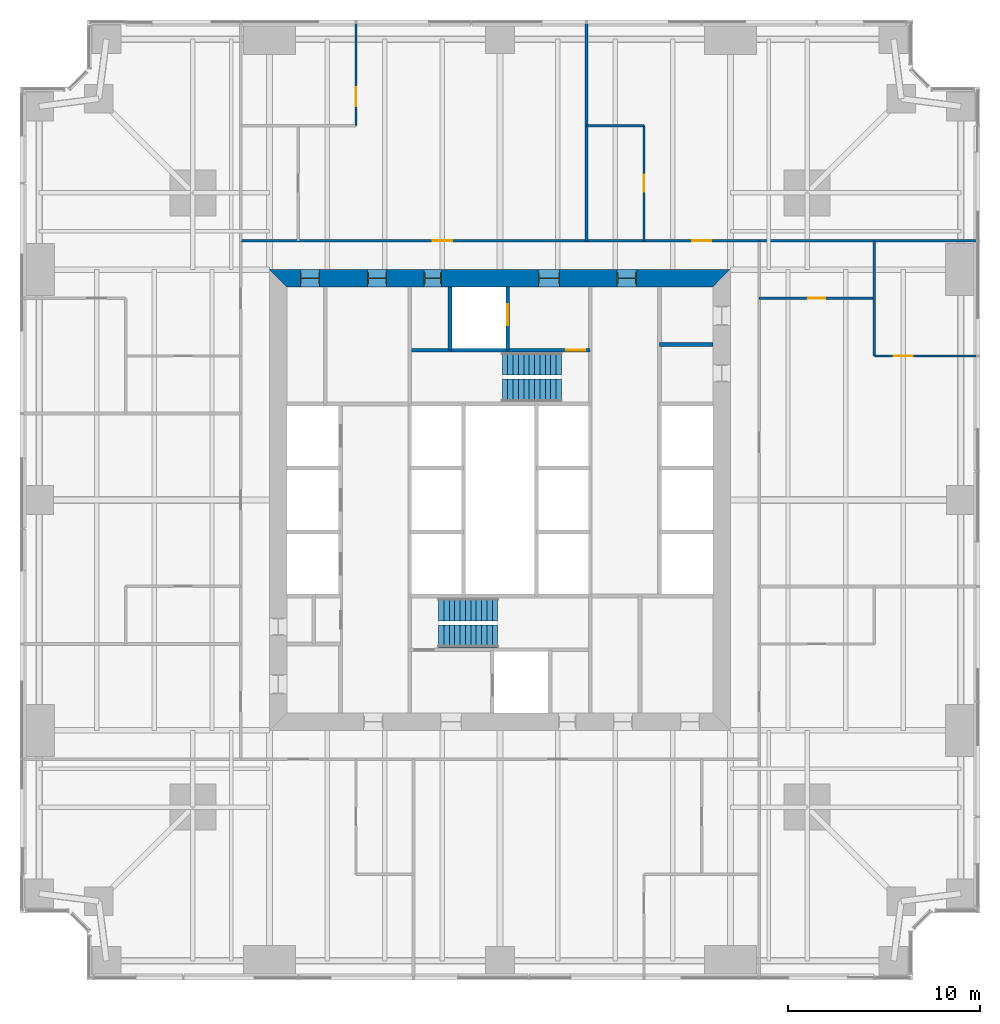
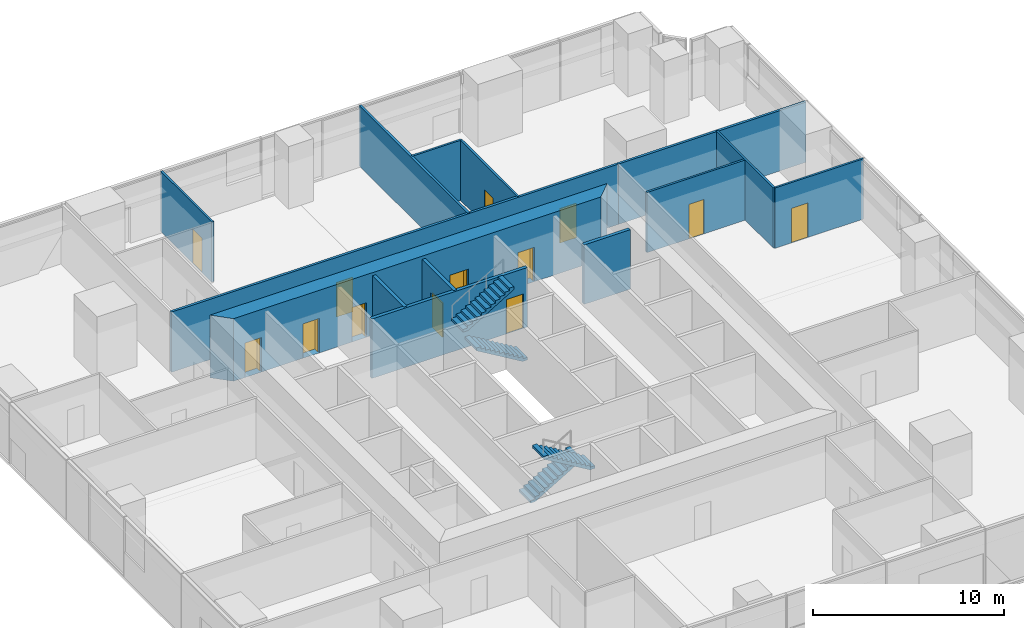
# One storey, part 11 of 13: 14 walls, 13 doors, 4 stair flights, 13 openings, 2 elements without a shape of their own.
"""IFC4 building model written with IfcOpenShell, lengths in metres."""

from ifc_helpers import new_model, si_unit, direction, frame, frame_2d, origin, place, context, subcontext, project, spatial, polyline, rectangle, outline, extrude, material, layer, layer_set, type_object, element, fill, aggregate, save


model = new_model("IFC4")

# Units and contexts
model_context = context("Model", 3, precision=1e-05, world=origin(), true_north=direction((0.0, 1.0)))
body_context = subcontext(model_context, "Body", "Model", "MODEL_VIEW")
ifc_project = project(units=[si_unit("LENGTHUNIT", "METRE"), si_unit("AREAUNIT", "SQUARE_METRE"), si_unit("VOLUMEUNIT", "CUBIC_METRE"), si_unit("PLANEANGLEUNIT", "RADIAN"), si_unit("MASSUNIT", "GRAM", prefix="KILO")], contexts=[model_context])

# Site, building, storey
site_placement = place(None, origin())
site = spatial("IfcSite", under=ifc_project, at=site_placement, CompositionType="ELEMENT")
building_placement = place(site_placement, origin())
building = spatial("IfcBuilding", under=site, at=building_placement, Name="Fenwick Lantern Interchange", CompositionType="ELEMENT")
storey_placement = place(building_placement, frame((0.0, 0.0, 47.0)))
storey = spatial("IfcBuildingStorey", under=building, at=storey_placement, Name="L10", CompositionType="ELEMENT", Elevation=47.0)

# Wall, opening, door
ifc_material_1 = material(Name="Concrete masonry ASTM C90 Grade N", Category="masonry")
ifc_layer_1 = layer(ifc_material_1, 0.199951171875)
ifc_layer_set_1 = layer_set([ifc_layer_1], Name="Concrete masonry ASTM C90 Grade N")
wall_type_1 = type_object("IfcWallType", Name="CORE PARTITION 200", PredefinedType="PARTITIONING", material=ifc_layer_set_1)
wall_1_placement = place(storey_placement, frame((25.39990234375, 36.10009765625, 0.0), z_axis=(0.0, 0.0, 1.0), x_axis=(0.0, -1.0, 0.0)))
wall_1 = element("IfcWall", 1, at=wall_1_placement, inside=storey, type_object=wall_type_1, Name="L10/W/COREN/h1", PredefinedType="PARTITIONING", context=body_context, shape_type="SweptSolid", body=[
    extrude(rectangle(XDim=3.300048828125, YDim=0.199951171875, at=frame_2d((1.64990234375, 0.0))), origin(), (0.0, 0.0, 1.0), 3.800048828125),
])
opening_1_placement = place(wall_1_placement, frame((0.89990234375, 0.0, 0.0)))
opening_1 = element("IfcOpeningElement", 2, at=opening_1_placement, cuts=wall_1, Name="Opening LD-FL2", PredefinedType="OPENING", context=body_context, shape_type="SweptSolid", body=[
    extrude(rectangle(XDim=1.10009765625, YDim=2.199951171875, at=frame_2d((0.550048828125, 1.10009765625))), frame((0.0, 0.10986328125, 0.0), z_axis=(0.0, -1.0, 0.0), x_axis=(1.0, 0.0, 0.0)), (0.0, 0.0, 1.0), 0.219970703125),
])
ifc_material_2 = material(Name="Steel door and frame", Category="steel")
door_type_1 = type_object("IfcDoorType", Name="LIFT LANDING DOOR 1100 X 2200", OperationType="DOUBLE_DOOR_SLIDING", PredefinedType="DOOR", material=ifc_material_2)
door_1_placement = place(opening_1_placement, origin())
door_1 = element("IfcDoor", 3, at=door_1_placement, inside=storey, type_object=door_type_1, Name="Lift landing door FL2", OperationType="DOUBLE_DOOR_SLIDING", OverallHeight=2.199951171875, OverallWidth=1.10009765625, PredefinedType="DOOR", context=body_context, shape_type="SweptSolid", body=[
    extrude(rectangle(XDim=1.10009765625, YDim=2.199951171875, at=frame_2d((0.550048828125, 1.10009765625))), frame((0.0, 0.02490234375, 0.0), z_axis=(0.0, -1.0, 0.0), x_axis=(1.0, 0.0, 0.0)), (0.0, 0.0, 1.0), 0.050048828125),
])
fill(opening_1, door_1)

# Walls
wall_2_placement = place(storey_placement, frame((22.39990234375, 36.10009765625, 0.0), z_axis=(0.0, 0.0, 1.0), x_axis=(0.0, -1.0, 0.0)))
element("IfcWall", 4, at=wall_2_placement, inside=storey, type_object=wall_type_1, Name="L10/W/COREN/h2", PredefinedType="PARTITIONING", context=body_context, shape_type="SweptSolid", body=[
    extrude(rectangle(XDim=3.300048828125, YDim=0.199951171875, at=frame_2d((1.64990234375, 0.0))), origin(), (0.0, 0.0, 1.0), 3.800048828125),
])
wall_3_placement = place(storey_placement, frame((36.10009765625, 33.10009765625, 0.0), z_axis=(0.0, 0.0, 1.0), x_axis=(-1.0, 0.0, 0.0)))
element("IfcWall", 5, at=wall_3_placement, inside=storey, type_object=wall_type_1, Name="L10/W/COREN/p1", PredefinedType="PARTITIONING", context=body_context, shape_type="SweptSolid", body=[
    extrude(rectangle(XDim=2.800048828125, YDim=0.199951171875, at=frame_2d((1.39990234375, 0.0))), origin(), (0.0, 0.0, 1.0), 3.800048828125),
])

# Wall, openings, doors
ifc_material_3 = material(Name="Concrete f'c 70 MPa", Category="concrete")
ifc_layer_2 = layer(ifc_material_3, 0.89990234375)
ifc_layer_set_2 = layer_set([ifc_layer_2], Name="CORE WALL 900")
wall_type_2 = type_object("IfcWallType", Name="CORE WALL 900", PredefinedType="SHEAR", material=ifc_layer_set_2)
wall_4_placement = place(storey_placement, frame((37.0, 36.550048828125, 0.0), z_axis=(0.0, 0.0, 1.0), x_axis=(-1.0, 0.0, 0.0)))
wall_4 = element("IfcWall", 6, at=wall_4_placement, inside=storey, type_object=wall_type_2, Name="L10/CORE/N", PredefinedType="SHEAR", context=body_context, shape_type="SweptSolid", body=[
    extrude(outline(polyline([(0.0, -0.449951171875), (24.0, -0.449951171875), (23.10009765625, 0.449951171875), (0.89990234375, 0.449951171875), (0.0, -0.449951171875)])), origin(), (0.0, 0.0, 1.0), 4.0),
])
opening_2_placement = place(wall_4_placement, frame((4.89990234375, 0.0, 0.0)))
opening_2 = element("IfcOpeningElement", 7, at=opening_2_placement, cuts=wall_4, Name="Opening L10-D010", PredefinedType="OPENING", context=body_context, shape_type="SweptSolid", body=[
    extrude(rectangle(XDim=1.0, YDim=2.199951171875, at=frame_2d((0.5, 1.10009765625))), frame((0.0, 0.4599609375, 0.0), z_axis=(0.0, -1.0, 0.0), x_axis=(1.0, 0.0, 0.0)), (0.0, 0.0, 1.0), 0.919921875),
])
opening_3_placement = place(wall_4_placement, frame((8.89990234375, 0.0, 0.0)))
opening_3 = element("IfcOpeningElement", 8, at=opening_3_placement, cuts=wall_4, Name="Opening L10-D011", PredefinedType="OPENING", context=body_context, shape_type="SweptSolid", body=[
    extrude(rectangle(XDim=1.10009765625, YDim=2.199951171875, at=frame_2d((0.550048828125, 1.10009765625))), frame((0.0, 0.4599609375, 0.0), z_axis=(0.0, -1.0, 0.0), x_axis=(1.0, 0.0, 0.0)), (0.0, 0.0, 1.0), 0.919921875),
])
opening_4_placement = place(wall_4_placement, frame((15.050048828125, 0.0, 0.0)))
opening_4 = element("IfcOpeningElement", 9, at=opening_4_placement, cuts=wall_4, Name="Opening L10-D013", PredefinedType="OPENING", context=body_context, shape_type="SweptSolid", body=[
    extrude(rectangle(XDim=0.89990234375, YDim=2.199951171875, at=frame_2d((0.449951171875, 1.10009765625))), frame((0.0, 0.4599609375, 0.0), z_axis=(0.0, -1.0, 0.0), x_axis=(1.0, 0.0, 0.0)), (0.0, 0.0, 1.0), 0.919921875),
])
opening_5_placement = place(wall_4_placement, frame((17.89990234375, 0.0, 0.0)))
opening_5 = element("IfcOpeningElement", 10, at=opening_5_placement, cuts=wall_4, Name="Opening L10-D014", PredefinedType="OPENING", context=body_context, shape_type="SweptSolid", body=[
    extrude(rectangle(XDim=1.0, YDim=2.199951171875, at=frame_2d((0.5, 1.10009765625))), frame((0.0, 0.4599609375, 0.0), z_axis=(0.0, -1.0, 0.0), x_axis=(1.0, 0.0, 0.0)), (0.0, 0.0, 1.0), 0.919921875),
])
opening_6_placement = place(wall_4_placement, frame((21.39990234375, 0.0, 0.0)))
opening_6 = element("IfcOpeningElement", 11, at=opening_6_placement, cuts=wall_4, Name="Opening L10-D015", PredefinedType="OPENING", context=body_context, shape_type="SweptSolid", body=[
    extrude(rectangle(XDim=1.0, YDim=2.199951171875, at=frame_2d((0.5, 1.10009765625))), frame((0.0, 0.4599609375, 0.0), z_axis=(0.0, -1.0, 0.0), x_axis=(1.0, 0.0, 0.0)), (0.0, 0.0, 1.0), 0.919921875),
])
door_type_2 = type_object("IfcDoorType", Name="CORE LOBBY DOOR 1000 X 2200", OperationType="SINGLE_SWING_LEFT", PredefinedType="DOOR", material=ifc_material_2)
door_2_placement = place(opening_2_placement, origin())
door_2 = element("IfcDoor", 12, at=door_2_placement, inside=storey, type_object=door_type_2, Name="Core lobby door", OperationType="SINGLE_SWING_LEFT", OverallHeight=2.199951171875, OverallWidth=1.0, PredefinedType="DOOR", context=body_context, shape_type="SweptSolid", body=[
    extrude(rectangle(XDim=1.0, YDim=2.199951171875, at=frame_2d((0.5, 1.10009765625))), frame((0.0, 0.02490234375, 0.0), z_axis=(0.0, -1.0, 0.0), x_axis=(1.0, 0.0, 0.0)), (0.0, 0.0, 1.0), 0.050048828125),
    extrude(outline(polyline([(0.0, 0.0), (0.0400390625, 0.0), (0.0400390625, 2.159912109375), (0.9599609375, 2.159912109375), (0.9599609375, 0.0), (1.0, 0.0), (1.0, 2.199951171875), (0.0, 2.199951171875), (0.0, 0.0)])), frame((0.0, 0.300048828125, 0.0), z_axis=(0.0, -1.0, 0.0), x_axis=(1.0, 0.0, 0.0)), (0.0, 0.0, 1.0), 0.60009765625),
])
fill(opening_2, door_2)
door_type_3 = type_object("IfcDoorType", Name="FIRE LOBBY DOOR 1100 X 2200", OperationType="SINGLE_SWING_LEFT", PredefinedType="DOOR", material=ifc_material_2)
door_3_placement = place(opening_3_placement, origin())
door_3 = element("IfcDoor", 13, at=door_3_placement, inside=storey, type_object=door_type_3, Name="Fire lobby door", OperationType="SINGLE_SWING_LEFT", OverallHeight=2.199951171875, OverallWidth=1.10009765625, PredefinedType="DOOR", context=body_context, shape_type="SweptSolid", body=[
    extrude(rectangle(XDim=1.10009765625, YDim=2.199951171875, at=frame_2d((0.550048828125, 1.10009765625))), frame((0.0, 0.02490234375, 0.0), z_axis=(0.0, -1.0, 0.0), x_axis=(1.0, 0.0, 0.0)), (0.0, 0.0, 1.0), 0.050048828125),
    extrude(outline(polyline([(0.0, 0.0), (0.0400390625, 0.0), (0.0400390625, 2.159912109375), (1.06005859375, 2.159912109375), (1.06005859375, 0.0), (1.10009765625, 0.0), (1.10009765625, 2.199951171875), (0.0, 2.199951171875), (0.0, 0.0)])), frame((0.0, 0.300048828125, 0.0), z_axis=(0.0, -1.0, 0.0), x_axis=(1.0, 0.0, 0.0)), (0.0, 0.0, 1.0), 0.60009765625),
])
fill(opening_3, door_3)
door_type_4 = type_object("IfcDoorType", Name="SERVICE DOOR 900 X 2200", OperationType="SINGLE_SWING_LEFT", PredefinedType="DOOR", material=ifc_material_2)
door_4_placement = place(opening_4_placement, origin())
door_4 = element("IfcDoor", 14, at=door_4_placement, inside=storey, type_object=door_type_4, Name="Service door", OperationType="SINGLE_SWING_LEFT", OverallHeight=2.199951171875, OverallWidth=0.89990234375, PredefinedType="DOOR", context=body_context, shape_type="SweptSolid", body=[
    extrude(rectangle(XDim=0.89990234375, YDim=2.199951171875, at=frame_2d((0.449951171875, 1.10009765625))), frame((0.0, 0.02490234375, 0.0), z_axis=(0.0, -1.0, 0.0), x_axis=(1.0, 0.0, 0.0)), (0.0, 0.0, 1.0), 0.050048828125),
    extrude(outline(polyline([(0.0, 0.0), (0.0400390625, 0.0), (0.0400390625, 2.159912109375), (0.85986328125, 2.159912109375), (0.85986328125, 0.0), (0.89990234375, 0.0), (0.89990234375, 2.199951171875), (0.0, 2.199951171875), (0.0, 0.0)])), frame((0.0, 0.300048828125, 0.0), z_axis=(0.0, -1.0, 0.0), x_axis=(1.0, 0.0, 0.0)), (0.0, 0.0, 1.0), 0.60009765625),
])
fill(opening_4, door_4)
ifc_material_4 = material(Name="Hardwood door and steel frame", Category="steel")
door_type_5 = type_object("IfcDoorType", Name="WC DOOR 1000 X 2200", OperationType="SINGLE_SWING_LEFT", PredefinedType="DOOR", material=ifc_material_4)
door_5_placement = place(opening_5_placement, origin())
door_5 = element("IfcDoor", 15, at=door_5_placement, inside=storey, type_object=door_type_5, Name="Wc door", OperationType="SINGLE_SWING_LEFT", OverallHeight=2.199951171875, OverallWidth=1.0, PredefinedType="DOOR", context=body_context, shape_type="SweptSolid", body=[
    extrude(rectangle(XDim=1.0, YDim=2.199951171875, at=frame_2d((0.5, 1.10009765625))), frame((0.0, 0.02490234375, 0.0), z_axis=(0.0, -1.0, 0.0), x_axis=(1.0, 0.0, 0.0)), (0.0, 0.0, 1.0), 0.050048828125),
    extrude(outline(polyline([(0.0, 0.0), (0.0400390625, 0.0), (0.0400390625, 2.159912109375), (0.9599609375, 2.159912109375), (0.9599609375, 0.0), (1.0, 0.0), (1.0, 2.199951171875), (0.0, 2.199951171875), (0.0, 0.0)])), frame((0.0, 0.300048828125, 0.0), z_axis=(0.0, -1.0, 0.0), x_axis=(1.0, 0.0, 0.0)), (0.0, 0.0, 1.0), 0.60009765625),
])
fill(opening_5, door_5)
door_6_placement = place(opening_6_placement, origin())
door_6 = element("IfcDoor", 16, at=door_6_placement, inside=storey, type_object=door_type_5, Name="Wc door", OperationType="SINGLE_SWING_LEFT", OverallHeight=2.199951171875, OverallWidth=1.0, PredefinedType="DOOR", context=body_context, shape_type="SweptSolid", body=[
    extrude(rectangle(XDim=1.0, YDim=2.199951171875, at=frame_2d((0.5, 1.10009765625))), frame((0.0, 0.02490234375, 0.0), z_axis=(0.0, -1.0, 0.0), x_axis=(1.0, 0.0, 0.0)), (0.0, 0.0, 1.0), 0.050048828125),
    extrude(outline(polyline([(0.0, 0.0), (0.0400390625, 0.0), (0.0400390625, 2.159912109375), (0.9599609375, 2.159912109375), (0.9599609375, 0.0), (1.0, 0.0), (1.0, 2.199951171875), (0.0, 2.199951171875), (0.0, 0.0)])), frame((0.0, 0.300048828125, 0.0), z_axis=(0.0, -1.0, 0.0), x_axis=(1.0, 0.0, 0.0)), (0.0, 0.0, 1.0), 0.60009765625),
])
fill(opening_6, door_6)

ifc_material_5 = material(Name="Gypsum board on steel studs, 1 hour", Category="steel")
ifc_layer_3 = layer(ifc_material_5, 0.14990234375)
ifc_layer_set_3 = layer_set([ifc_layer_3], Name="CORRIDOR WALL 150")
wall_type_3 = type_object("IfcWallType", Name="CORRIDOR WALL 150", PredefinedType="PARTITIONING", material=ifc_layer_set_3)
wall_5_placement = place(storey_placement, frame((38.5, 38.5, 0.0), z_axis=(0.0, 0.0, 1.0), x_axis=(-1.0, 0.0, 0.0)))
wall_5 = element("IfcWall", 17, at=wall_5_placement, inside=storey, type_object=wall_type_3, Name="L10/W/OFF/N/CW", PredefinedType="PARTITIONING", context=body_context, shape_type="SweptSolid", body=[
    extrude(rectangle(XDim=27.0, YDim=0.14990234375, at=frame_2d((13.5, 0.0))), origin(), (0.0, 0.0, 1.0), 3.85009765625),
])
opening_7_placement = place(wall_5_placement, frame((2.5, 0.0, 0.0)))
opening_7 = element("IfcOpeningElement", 18, at=opening_7_placement, cuts=wall_5, Name="Opening L10-D028", PredefinedType="OPENING", context=body_context, shape_type="SweptSolid", body=[
    extrude(rectangle(XDim=1.0, YDim=2.199951171875, at=frame_2d((0.5, 1.10009765625))), frame((0.0, 0.0849609375, 0.0), z_axis=(0.0, -1.0, 0.0), x_axis=(1.0, 0.0, 0.0)), (0.0, 0.0, 1.0), 0.169921875),
])
opening_8_placement = place(wall_5_placement, frame((16.0, 0.0, 0.0)))
opening_8 = element("IfcOpeningElement", 19, at=opening_8_placement, cuts=wall_5, Name="Opening L10-D030", PredefinedType="OPENING", context=body_context, shape_type="SweptSolid", body=[
    extrude(rectangle(XDim=1.0, YDim=2.199951171875, at=frame_2d((0.5, 1.10009765625))), frame((0.0, 0.0849609375, 0.0), z_axis=(0.0, -1.0, 0.0), x_axis=(1.0, 0.0, 0.0)), (0.0, 0.0, 1.0), 0.169921875),
])
door_type_6 = type_object("IfcDoorType", Name="SUITE ENTRANCE DOOR 1000 X 2200", OperationType="SINGLE_SWING_LEFT", PredefinedType="DOOR", material=ifc_material_2)
door_7_placement = place(opening_7_placement, frame((1.0, 0.0, 0.0), z_axis=(0.0, 0.0, 1.0), x_axis=(-1.0, 0.0, 0.0)))
door_7 = element("IfcDoor", 20, at=door_7_placement, inside=storey, type_object=door_type_6, Name="Suite entrance door", OperationType="SINGLE_SWING_LEFT", OverallHeight=2.199951171875, OverallWidth=1.0, PredefinedType="DOOR", context=body_context, shape_type="SweptSolid", body=[
    extrude(rectangle(XDim=1.0, YDim=2.199951171875, at=frame_2d((0.5, 1.10009765625))), frame((0.0, 0.02490234375, 0.0), z_axis=(0.0, -1.0, 0.0), x_axis=(1.0, 0.0, 0.0)), (0.0, 0.0, 1.0), 0.050048828125),
])
fill(opening_7, door_7)
door_8_placement = place(opening_8_placement, frame((1.0, 0.0, 0.0), z_axis=(0.0, 0.0, 1.0), x_axis=(-1.0, 0.0, 0.0)))
door_8 = element("IfcDoor", 21, at=door_8_placement, inside=storey, type_object=door_type_6, Name="Suite entrance door", OperationType="SINGLE_SWING_RIGHT", OverallHeight=2.199951171875, OverallWidth=1.0, PredefinedType="DOOR", context=body_context, shape_type="SweptSolid", body=[
    extrude(rectangle(XDim=1.0, YDim=2.199951171875, at=frame_2d((0.5, 1.10009765625))), frame((0.0, 0.02490234375, 0.0), z_axis=(0.0, -1.0, 0.0), x_axis=(1.0, 0.0, 0.0)), (0.0, 0.0, 1.0), 0.050048828125),
])
fill(opening_8, door_8)

# Wall, opening, door
ifc_material_6 = material(Name="Gypsum board on steel studs, acoustic", Category="steel")
ifc_layer_4 = layer(ifc_material_6, 0.125)
ifc_layer_set_4 = layer_set([ifc_layer_4], Name="OFFICE PARTITION 125")
wall_type_4 = type_object("IfcWallType", Name="OFFICE PARTITION 125", PredefinedType="PARTITIONING", material=ifc_layer_set_4)
wall_6_placement = place(storey_placement, frame((49.85009765625, 32.5, 0.0), z_axis=(0.0, 0.0, 1.0), x_axis=(-1.0, 0.0, 0.0)))
wall_6 = element("IfcWall", 22, at=wall_6_placement, inside=storey, type_object=wall_type_4, Name="L10/W/OFF/E/X325-1", PredefinedType="PARTITIONING", context=body_context, shape_type="SweptSolid", body=[
    extrude(rectangle(XDim=5.35009765625, YDim=0.125, at=frame_2d((2.675048828125, 0.0))), origin(), (0.0, 0.0, 1.0), 3.85009765625),
])
opening_9_placement = place(wall_6_placement, frame((3.35009765625, 0.0, 0.0)))
opening_9 = element("IfcOpeningElement", 23, at=opening_9_placement, cuts=wall_6, Name="Opening L10-D026", PredefinedType="OPENING", context=body_context, shape_type="SweptSolid", body=[
    extrude(rectangle(XDim=1.0, YDim=2.199951171875, at=frame_2d((0.5, 1.10009765625))), frame((0.0, 0.072509765625, 0.0), z_axis=(0.0, -1.0, 0.0), x_axis=(1.0, 0.0, 0.0)), (0.0, 0.0, 1.0), 0.14501953125),
])
door_type_7 = type_object("IfcDoorType", Name="MEETING ROOM DOOR 1000 X 2200", OperationType="SINGLE_SWING_LEFT", PredefinedType="DOOR", material=ifc_material_4)
door_9_placement = place(opening_9_placement, frame((1.0, 0.0, 0.0), z_axis=(0.0, 0.0, 1.0), x_axis=(-1.0, 0.0, 0.0)))
door_9 = element("IfcDoor", 24, at=door_9_placement, inside=storey, type_object=door_type_7, Name="Meeting room door", OperationType="SINGLE_SWING_LEFT", OverallHeight=2.199951171875, OverallWidth=1.0, PredefinedType="DOOR", context=body_context, shape_type="SweptSolid", body=[
    extrude(rectangle(XDim=1.0, YDim=2.199951171875, at=frame_2d((0.5, 1.10009765625))), frame((0.0, 0.02490234375, 0.0), z_axis=(0.0, -1.0, 0.0), x_axis=(1.0, 0.0, 0.0)), (0.0, 0.0, 1.0), 0.050048828125),
])
fill(opening_9, door_9)

wall_7_placement = place(storey_placement, frame((44.5, 35.5, 0.0), z_axis=(0.0, 0.0, 1.0), x_axis=(-1.0, 0.0, 0.0)))
wall_7 = element("IfcWall", 25, at=wall_7_placement, inside=storey, type_object=wall_type_4, Name="L10/W/OFF/E/X355-1", PredefinedType="PARTITIONING", context=body_context, shape_type="SweptSolid", body=[
    extrude(rectangle(XDim=6.0, YDim=0.125, at=frame_2d((3.0, 0.0))), origin(), (0.0, 0.0, 1.0), 3.85009765625),
])
opening_10_placement = place(wall_7_placement, frame((2.550048828125, 0.0, 0.0)))
opening_10 = element("IfcOpeningElement", 26, at=opening_10_placement, cuts=wall_7, Name="Opening L10-D027", PredefinedType="OPENING", context=body_context, shape_type="SweptSolid", body=[
    extrude(rectangle(XDim=0.89990234375, YDim=2.199951171875, at=frame_2d((0.449951171875, 1.10009765625))), frame((0.0, 0.072509765625, 0.0), z_axis=(0.0, -1.0, 0.0), x_axis=(1.0, 0.0, 0.0)), (0.0, 0.0, 1.0), 0.14501953125),
])
door_type_8 = type_object("IfcDoorType", Name="OFFICE DOOR 900 X 2200", OperationType="SINGLE_SWING_LEFT", PredefinedType="DOOR", material=ifc_material_4)
door_10_placement = place(opening_10_placement, frame((0.89990234375, 0.0, 0.0), z_axis=(0.0, 0.0, 1.0), x_axis=(-1.0, 0.0, 0.0)))
door_10 = element("IfcDoor", 27, at=door_10_placement, inside=storey, type_object=door_type_8, Name="Office door", OperationType="SINGLE_SWING_RIGHT", OverallHeight=2.199951171875, OverallWidth=0.89990234375, PredefinedType="DOOR", context=body_context, shape_type="SweptSolid", body=[
    extrude(rectangle(XDim=0.89990234375, YDim=2.199951171875, at=frame_2d((0.449951171875, 1.10009765625))), frame((0.0, 0.02490234375, 0.0), z_axis=(0.0, -1.0, 0.0), x_axis=(1.0, 0.0, 0.0)), (0.0, 0.0, 1.0), 0.050048828125),
])
fill(opening_10, door_10)

# Wall
wall_8_placement = place(storey_placement, frame((44.5, 32.5, 0.0), z_axis=(0.0, 0.0, 1.0), x_axis=(0.0, 1.0, 0.0)))
element("IfcWall", 28, at=wall_8_placement, inside=storey, type_object=wall_type_4, Name="L10/W/OFF/E/Y55-2", PredefinedType="PARTITIONING", context=body_context, shape_type="SweptSolid", body=[
    extrude(rectangle(XDim=6.0, YDim=0.125, at=frame_2d((3.0, 0.0))), origin(), (0.0, 0.0, 1.0), 3.85009765625),
])

# Wall, opening, door
wall_9_placement = place(storey_placement, frame((32.5, 44.5, 0.0), z_axis=(0.0, 0.0, 1.0), x_axis=(0.0, -1.0, 0.0)))
wall_9 = element("IfcWall", 29, at=wall_9_placement, inside=storey, type_object=wall_type_4, Name="L10/W/OFF/N/X175-1", PredefinedType="PARTITIONING", context=body_context, shape_type="SweptSolid", body=[
    extrude(rectangle(XDim=6.0, YDim=0.125, at=frame_2d((3.0, 0.0))), origin(), (0.0, 0.0, 1.0), 3.85009765625),
])
opening_11_placement = place(wall_9_placement, frame((2.550048828125, 0.0, 0.0)))
opening_11 = element("IfcOpeningElement", 30, at=opening_11_placement, cuts=wall_9, Name="Opening L10-D029", PredefinedType="OPENING", context=body_context, shape_type="SweptSolid", body=[
    extrude(rectangle(XDim=0.89990234375, YDim=2.199951171875, at=frame_2d((0.449951171875, 1.10009765625))), frame((0.0, 0.072509765625, 0.0), z_axis=(0.0, -1.0, 0.0), x_axis=(1.0, 0.0, 0.0)), (0.0, 0.0, 1.0), 0.14501953125),
])
door_11_placement = place(opening_11_placement, frame((0.89990234375, 0.0, 0.0), z_axis=(0.0, 0.0, 1.0), x_axis=(-1.0, 0.0, 0.0)))
door_11 = element("IfcDoor", 31, at=door_11_placement, inside=storey, type_object=door_type_8, Name="Office door", OperationType="SINGLE_SWING_RIGHT", OverallHeight=2.199951171875, OverallWidth=0.89990234375, PredefinedType="DOOR", context=body_context, shape_type="SweptSolid", body=[
    extrude(rectangle(XDim=0.89990234375, YDim=2.199951171875, at=frame_2d((0.449951171875, 1.10009765625))), frame((0.0, 0.02490234375, 0.0), z_axis=(0.0, -1.0, 0.0), x_axis=(1.0, 0.0, 0.0)), (0.0, 0.0, 1.0), 0.050048828125),
])
fill(opening_11, door_11)

wall_10_placement = place(storey_placement, frame((17.5, 49.85009765625, 0.0), z_axis=(0.0, 0.0, 1.0), x_axis=(0.0, -1.0, 0.0)))
wall_10 = element("IfcWall", 32, at=wall_10_placement, inside=storey, type_object=wall_type_4, Name="L10/W/OFF/N/X325-1", PredefinedType="PARTITIONING", context=body_context, shape_type="SweptSolid", body=[
    extrude(rectangle(XDim=5.35009765625, YDim=0.125, at=frame_2d((2.675048828125, 0.0))), origin(), (0.0, 0.0, 1.0), 3.85009765625),
])
opening_12_placement = place(wall_10_placement, frame((3.35009765625, 0.0, 0.0)))
opening_12 = element("IfcOpeningElement", 33, at=opening_12_placement, cuts=wall_10, Name="Opening L10-D031", PredefinedType="OPENING", context=body_context, shape_type="SweptSolid", body=[
    extrude(rectangle(XDim=1.0, YDim=2.199951171875, at=frame_2d((0.5, 1.10009765625))), frame((0.0, 0.072509765625, 0.0), z_axis=(0.0, -1.0, 0.0), x_axis=(1.0, 0.0, 0.0)), (0.0, 0.0, 1.0), 0.14501953125),
])
door_12_placement = place(opening_12_placement, frame((1.0, 0.0, 0.0), z_axis=(0.0, 0.0, 1.0), x_axis=(-1.0, 0.0, 0.0)))
door_12 = element("IfcDoor", 34, at=door_12_placement, inside=storey, type_object=door_type_7, Name="Meeting room door", OperationType="SINGLE_SWING_LEFT", OverallHeight=2.199951171875, OverallWidth=1.0, PredefinedType="DOOR", context=body_context, shape_type="SweptSolid", body=[
    extrude(rectangle(XDim=1.0, YDim=2.199951171875, at=frame_2d((0.5, 1.10009765625))), frame((0.0, 0.02490234375, 0.0), z_axis=(0.0, -1.0, 0.0), x_axis=(1.0, 0.0, 0.0)), (0.0, 0.0, 1.0), 0.050048828125),
])
fill(opening_12, door_12)

# Wall
wall_11_placement = place(storey_placement, frame((32.5, 44.5, 0.0), z_axis=(0.0, 0.0, 1.0), x_axis=(-1.0, 0.0, 0.0)))
element("IfcWall", 35, at=wall_11_placement, inside=storey, type_object=wall_type_4, Name="L10/W/OFF/N/Y55-1", PredefinedType="PARTITIONING", context=body_context, shape_type="SweptSolid", body=[
    extrude(rectangle(XDim=3.0, YDim=0.125, at=frame_2d((1.5, 0.0))), origin(), (0.0, 0.0, 1.0), 3.85009765625),
])

# Wall, opening, door
ifc_material_7 = material(Name="Concrete f'c 45 MPa", Category="concrete")
ifc_layer_5 = layer(ifc_material_7, 0.199951171875)
ifc_layer_set_5 = layer_set([ifc_layer_5], Name="STAIR CORE WALL 200")
wall_type_5 = type_object("IfcWallType", Name="STAIR CORE WALL 200", PredefinedType="SOLIDWALL", material=ifc_layer_set_5)
wall_12_placement = place(storey_placement, frame((29.699951171875, 32.800048828125, 0.0), z_axis=(0.0, 0.0, 1.0), x_axis=(-1.0, 0.0, 0.0)))
wall_12 = element("IfcWall", 36, at=wall_12_placement, inside=storey, type_object=wall_type_5, Name="L10/W/COREN/g1", PredefinedType="SOLIDWALL", context=body_context, shape_type="SweptSolid", body=[
    extrude(rectangle(XDim=9.39990234375, YDim=0.199951171875, at=frame_2d((4.699951171875, 0.0))), origin(), (0.0, 0.0, 1.0), 3.800048828125),
])
opening_13_placement = place(wall_12_placement, frame((0.25, 0.0, 0.0)))
opening_13 = element("IfcOpeningElement", 37, at=opening_13_placement, cuts=wall_12, Name="Opening L10-D012", PredefinedType="OPENING", context=body_context, shape_type="SweptSolid", body=[
    extrude(rectangle(XDim=1.0, YDim=2.199951171875, at=frame_2d((0.5, 1.10009765625))), frame((0.0, 0.10986328125, 0.0), z_axis=(0.0, -1.0, 0.0), x_axis=(1.0, 0.0, 0.0)), (0.0, 0.0, 1.0), 0.219970703125),
])
door_type_9 = type_object("IfcDoorType", Name="STAIR DOOR 1000 X 2200", OperationType="SINGLE_SWING_LEFT", PredefinedType="DOOR", material=ifc_material_2)
door_13_placement = place(opening_13_placement, origin())
door_13 = element("IfcDoor", 38, at=door_13_placement, inside=storey, type_object=door_type_9, Name="Stair door", OperationType="SINGLE_SWING_LEFT", OverallHeight=2.199951171875, OverallWidth=1.0, PredefinedType="DOOR", context=body_context, shape_type="SweptSolid", body=[
    extrude(rectangle(XDim=1.0, YDim=2.199951171875, at=frame_2d((0.5, 1.10009765625))), frame((0.0, 0.02490234375, 0.0), z_axis=(0.0, -1.0, 0.0), x_axis=(1.0, 0.0, 0.0)), (0.0, 0.0, 1.0), 0.050048828125),
])
fill(opening_13, door_13)

# Walls
ifc_material_8 = material(Name="Gypsum board on steel studs, 1 hour acoustic", Category="steel")
ifc_layer_6 = layer(ifc_material_8, 0.14990234375)
ifc_layer_set_6 = layer_set([ifc_layer_6], Name="TENANT WALL 150")
wall_type_6 = type_object("IfcWallType", Name="TENANT WALL 150", PredefinedType="PARTITIONING", material=ifc_layer_set_6)
for number, where, z_axis, x_axis, name in (
    (39, (49.85009765625, 38.5, 0.0), (0.0, 0.0, 1.0), (-1.0, 0.0, 0.0), "L10/W/OFF/N/BACK"),
    (40, (29.5, 49.85009765625, 0.0), (0.0, 0.0, 1.0), (0.0, -1.0, 0.0), "L10/W/OFF/N/X205-1"),
):
    element("IfcWall", number, at=place(storey_placement, frame(where, z_axis=z_axis, x_axis=x_axis)), inside=storey, type_object=wall_type_6, Name=name, PredefinedType="PARTITIONING", context=body_context, shape_type="SweptSolid", body=[
        extrude(rectangle(XDim=11.35009765625, YDim=0.14990234375, at=frame_2d((5.675048828125, 0.0))), origin(), (0.0, 0.0, 1.0), 3.85009765625),
    ])

# Stair, stair flights
ifc_material_9 = material(Name="Precast concrete f'c 35 MPa", Category="concrete")
stair_type = type_object("IfcStairType", Name="EXIT STAIR 1200", PredefinedType="HALF_TURN_STAIR", material=ifc_material_9)
stair_1_placement = place(storey_placement, origin())
stair_1 = element("IfcStair", 41, at=stair_1_placement, inside=storey, type_object=stair_type, Name="Exit stair ST1", PredefinedType="HALF_TURN_STAIR")
stair_flight_type = type_object("IfcStairFlightType", Name="STAIR FLIGHT 1200", PredefinedType="STRAIGHT", material=ifc_material_9)
stair_flight_1_placement = place(storey_placement, frame((21.800048828125, 19.300048828125, 0.0), z_axis=(0.0, 0.0, 1.0), x_axis=(1.0, 0.0, 0.0)))
stair_flight_1 = element("IfcStairFlight", 42, at=stair_flight_1_placement, type_object=stair_flight_type, Name="ST1 flight 1", NumberOfRisers=12, NumberOfTreads=11, PredefinedType="STRAIGHT", RiserHeight=0.166666667, TreadLength=0.28, context=body_context, shape_type="SweptSolid", body=[
    extrude(outline(polyline([(0.0, 0.0), (0.0, 0.166748046875), (0.280029296875, 0.166748046875), (0.280029296875, 0.333251953125), (0.56005859375, 0.333251953125), (0.56005859375, 0.5), (0.840087890625, 0.5), (0.840087890625, 0.666748046875), (1.1201171875, 0.666748046875), (1.1201171875, 0.833251953125), (1.39990234375, 0.833251953125), (1.39990234375, 1.0), (1.679931640625, 1.0), (1.679931640625, 1.166748046875), (1.9599609375, 1.166748046875), (1.9599609375, 1.333251953125), (2.239990234375, 1.333251953125), (2.239990234375, 1.5), (2.52001953125, 1.5), (2.52001953125, 1.666748046875), (2.800048828125, 1.666748046875), (2.800048828125, 1.833251953125), (3.080078125, 1.833251953125), (3.080078125, 2.0), (3.080078125, 1.658935546875), (0.29296875, 0.0), (0.0, 0.0)])), frame((0.0, 0.60009765625, 0.0), z_axis=(0.0, -1.0, 0.0), x_axis=(1.0, 0.0, 0.0)), (0.0, 0.0, 1.0), 1.199951171875),
])
stair_flight_2_placement = place(storey_placement, frame((24.8798828125, 17.89990234375, 2.0), z_axis=(0.0, 0.0, 1.0), x_axis=(-1.0, 0.0, 0.0)))
stair_flight_2 = element("IfcStairFlight", 43, at=stair_flight_2_placement, type_object=stair_flight_type, Name="ST1 flight 2", NumberOfRisers=12, NumberOfTreads=11, PredefinedType="STRAIGHT", RiserHeight=0.166666667, TreadLength=0.28, context=body_context, shape_type="SweptSolid", body=[
    extrude(outline(polyline([(0.0, 0.0), (0.0, 0.166748046875), (0.280029296875, 0.166748046875), (0.280029296875, 0.333251953125), (0.56005859375, 0.333251953125), (0.56005859375, 0.5), (0.840087890625, 0.5), (0.840087890625, 0.666748046875), (1.1201171875, 0.666748046875), (1.1201171875, 0.833251953125), (1.39990234375, 0.833251953125), (1.39990234375, 1.0), (1.679931640625, 1.0), (1.679931640625, 1.166748046875), (1.9599609375, 1.166748046875), (1.9599609375, 1.333251953125), (2.239990234375, 1.333251953125), (2.239990234375, 1.5), (2.52001953125, 1.5), (2.52001953125, 1.666748046875), (2.800048828125, 1.666748046875), (2.800048828125, 1.833251953125), (3.080078125, 1.833251953125), (3.080078125, 2.0), (3.080078125, 1.658935546875), (0.29296875, 0.0), (0.0, 0.0)])), frame((0.0, 0.60009765625, 0.0), z_axis=(0.0, -1.0, 0.0), x_axis=(1.0, 0.0, 0.0)), (0.0, 0.0, 1.0), 1.199951171875),
])
aggregate(stair_1, [stair_flight_1, stair_flight_2])

stair_2_placement = place(storey_placement, origin())
stair_2 = element("IfcStair", 44, at=stair_2_placement, inside=storey, type_object=stair_type, Name="Exit stair ST2", PredefinedType="HALF_TURN_STAIR")
stair_flight_3_placement = place(storey_placement, frame((28.199951171875, 30.699951171875, 0.0), z_axis=(0.0, 0.0, 1.0), x_axis=(-1.0, 0.0, 0.0)))
stair_flight_3 = element("IfcStairFlight", 45, at=stair_flight_3_placement, type_object=stair_flight_type, Name="ST2 flight 1", NumberOfRisers=12, NumberOfTreads=11, PredefinedType="STRAIGHT", RiserHeight=0.166666667, TreadLength=0.28, context=body_context, shape_type="SweptSolid", body=[
    extrude(outline(polyline([(0.0, 0.0), (0.0, 0.166748046875), (0.280029296875, 0.166748046875), (0.280029296875, 0.333251953125), (0.56005859375, 0.333251953125), (0.56005859375, 0.5), (0.840087890625, 0.5), (0.840087890625, 0.666748046875), (1.1201171875, 0.666748046875), (1.1201171875, 0.833251953125), (1.39990234375, 0.833251953125), (1.39990234375, 1.0), (1.679931640625, 1.0), (1.679931640625, 1.166748046875), (1.9599609375, 1.166748046875), (1.9599609375, 1.333251953125), (2.239990234375, 1.333251953125), (2.239990234375, 1.5), (2.52001953125, 1.5), (2.52001953125, 1.666748046875), (2.800048828125, 1.666748046875), (2.800048828125, 1.833251953125), (3.080078125, 1.833251953125), (3.080078125, 2.0), (3.080078125, 1.658935546875), (0.29296875, 0.0), (0.0, 0.0)])), frame((0.0, 0.60009765625, 0.0), z_axis=(0.0, -1.0, 0.0), x_axis=(1.0, 0.0, 0.0)), (0.0, 0.0, 1.0), 1.199951171875),
])
stair_flight_4_placement = place(storey_placement, frame((25.1201171875, 32.10009765625, 2.0), z_axis=(0.0, 0.0, 1.0), x_axis=(1.0, 0.0, 0.0)))
stair_flight_4 = element("IfcStairFlight", 46, at=stair_flight_4_placement, type_object=stair_flight_type, Name="ST2 flight 2", NumberOfRisers=12, NumberOfTreads=11, PredefinedType="STRAIGHT", RiserHeight=0.166666667, TreadLength=0.28, context=body_context, shape_type="SweptSolid", body=[
    extrude(outline(polyline([(0.0, 0.0), (0.0, 0.166748046875), (0.280029296875, 0.166748046875), (0.280029296875, 0.333251953125), (0.56005859375, 0.333251953125), (0.56005859375, 0.5), (0.840087890625, 0.5), (0.840087890625, 0.666748046875), (1.1201171875, 0.666748046875), (1.1201171875, 0.833251953125), (1.39990234375, 0.833251953125), (1.39990234375, 1.0), (1.679931640625, 1.0), (1.679931640625, 1.166748046875), (1.9599609375, 1.166748046875), (1.9599609375, 1.333251953125), (2.239990234375, 1.333251953125), (2.239990234375, 1.5), (2.52001953125, 1.5), (2.52001953125, 1.666748046875), (2.800048828125, 1.666748046875), (2.800048828125, 1.833251953125), (3.080078125, 1.833251953125), (3.080078125, 2.0), (3.080078125, 1.658935546875), (0.29296875, 0.0), (0.0, 0.0)])), frame((0.0, 0.60009765625, 0.0), z_axis=(0.0, -1.0, 0.0), x_axis=(1.0, 0.0, 0.0)), (0.0, 0.0, 1.0), 1.199951171875),
])
aggregate(stair_2, [stair_flight_3, stair_flight_4])

save(model, "model.ifc")
